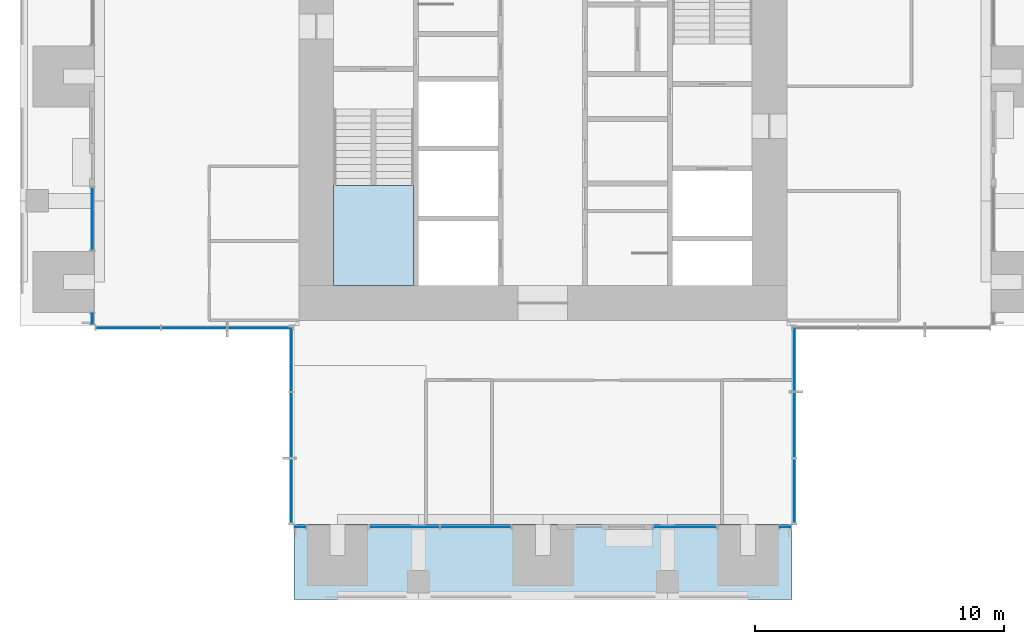
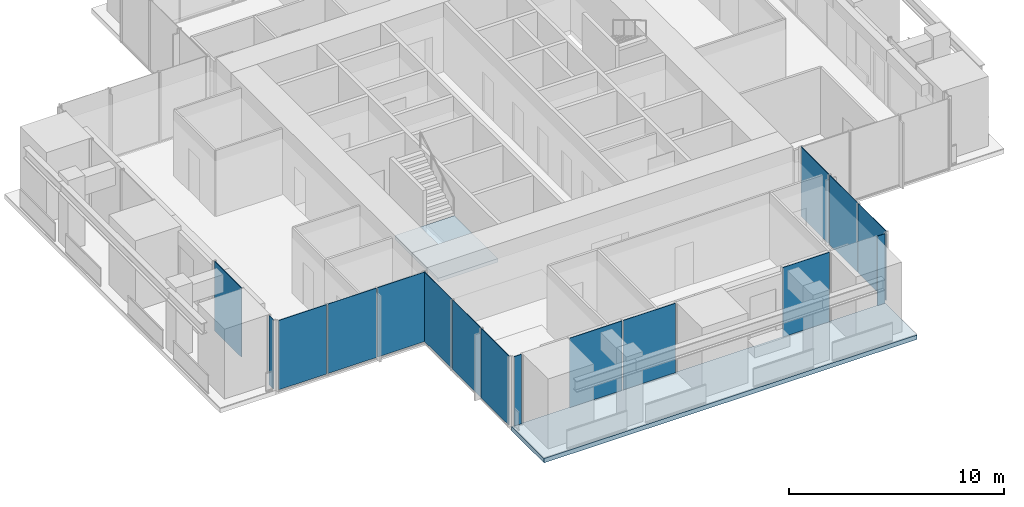
# One storey, part 7 of 17: 16 plates, 2 slabs, 10 elements without a shape of their own.
"""IFC4 building model written with IfcOpenShell, lengths in metres."""

from ifc_helpers import new_model, si_unit, direction, frame, origin, origin_2d, place, context, subcontext, project, spatial, polyline, rectangle, outline, extrude, material, layer, layer_set, type_object, element, aggregate, save


model = new_model("IFC4")

# Units and contexts
model_context = context("Model", 3, precision=1e-05, world=origin(), true_north=direction((0.0, 1.0)))
body_context = subcontext(model_context, "Body", "Model", "MODEL_VIEW")
ifc_project = project(units=[si_unit("LENGTHUNIT", "METRE"), si_unit("AREAUNIT", "SQUARE_METRE"), si_unit("VOLUMEUNIT", "CUBIC_METRE"), si_unit("PLANEANGLEUNIT", "RADIAN"), si_unit("MASSUNIT", "GRAM", prefix="KILO")], contexts=[model_context])

# Site, building, storey
site_placement = place(None, origin())
site = spatial("IfcSite", under=ifc_project, at=site_placement, CompositionType="ELEMENT")
building_placement = place(site_placement, origin())
building = spatial("IfcBuilding", under=site, at=building_placement, Name="Svetlomir Tower", CompositionType="ELEMENT")
storey_placement = place(building_placement, frame((0.0, 0.0, 218.5)))
storey = spatial("IfcBuildingStorey", under=building, at=storey_placement, Name="L52", CompositionType="ELEMENT", Elevation=218.5)

# Curtain wall, plate
ifc_material_1 = material(Name="Bronze anodised aluminium curtain wall", Category="aluminium")
curtain_wall_type = type_object("IfcCurtainWallType", Name="CURTAIN WALL CW1 TOWER OFFICE", PredefinedType="NOTDEFINED", material=ifc_material_1)
curtain_wall_1_placement = place(storey_placement, origin())
curtain_wall_1 = element("IfcCurtainWall", 1, at=curtain_wall_1_placement, inside=storey, type_object=curtain_wall_type, Name="Curtain wall CW1 L52", PredefinedType="NOTDEFINED")
ifc_material_2 = material(Name="Tinted double glazed unit", Category="glass")
ifc_layer_1 = layer(ifc_material_2, 0.031982421875)
ifc_layer_set_1 = layer_set([ifc_layer_1], Name="Tinted double glazed unit")
plate_type = type_object("IfcPlateType", Name="CW1 GLAZED PANEL 32", PredefinedType="CURTAIN_PANEL", material=ifc_layer_set_1)
plate_1_placement = place(storey_placement, frame((11.262451171875, 2.89990234375, 0.06494140625), z_axis=(0.0, 0.0, 1.0), x_axis=(1.0, 0.0, 0.0)))
plate_1 = element("IfcPlate", 2, at=plate_1_placement, type_object=plate_type, Name="CW1 panel 1.1", PredefinedType="CURTAIN_PANEL", context=body_context, shape_type="SweptSolid", body=[
    extrude(rectangle(XDim=0.39501953125, YDim=0.031982421875, at=origin_2d()), origin(), (0.0, 0.0, 1.0), 3.93505859375),
])
aggregate(curtain_wall_1, [plate_1])

# Curtain wall, plates
curtain_wall_2_placement = place(storey_placement, origin())
curtain_wall_2 = element("IfcCurtainWall", 3, at=curtain_wall_2_placement, inside=storey, type_object=curtain_wall_type, Name="Curtain wall CW1 L52", PredefinedType="NOTDEFINED")
plate_2_placement = place(storey_placement, frame((15.441162109375, 2.89990234375, 0.06494140625), z_axis=(0.0, 0.0, 1.0), x_axis=(1.0, 0.0, 0.0)))
plate_2 = element("IfcPlate", 4, at=plate_2_placement, type_object=plate_type, Name="CW1 panel 1.1", PredefinedType="CURTAIN_PANEL", context=body_context, shape_type="SweptSolid", body=[
    extrude(rectangle(XDim=2.802490234375, YDim=0.031982421875, at=origin_2d()), origin(), (0.0, 0.0, 1.0), 3.93505859375),
])
plate_3_placement = place(storey_placement, frame((18.308837890625, 2.89990234375, 0.06494140625), z_axis=(0.0, 0.0, 1.0), x_axis=(1.0, 0.0, 0.0)))
plate_3 = element("IfcPlate", 5, at=plate_3_placement, type_object=plate_type, Name="CW1 panel 2.1", PredefinedType="CURTAIN_PANEL", context=body_context, shape_type="SweptSolid", body=[
    extrude(rectangle(XDim=2.802490234375, YDim=0.031982421875, at=origin_2d()), origin(), (0.0, 0.0, 1.0), 3.93505859375),
])
aggregate(curtain_wall_2, [plate_2, plate_3])

# Curtain wall, plate
curtain_wall_3_placement = place(storey_placement, origin())
curtain_wall_3 = element("IfcCurtainWall", 6, at=curtain_wall_3_placement, inside=storey, type_object=curtain_wall_type, Name="Curtain wall CW1 L52", PredefinedType="NOTDEFINED")
plate_4_placement = place(storey_placement, frame((26.71240234375, 2.89990234375, 0.06494140625), z_axis=(0.0, 0.0, 1.0), x_axis=(1.0, 0.0, 0.0)))
plate_4 = element("IfcPlate", 7, at=plate_4_placement, type_object=plate_type, Name="CW1 panel 1.1", PredefinedType="CURTAIN_PANEL", context=body_context, shape_type="SweptSolid", body=[
    extrude(rectangle(XDim=2.4951171875, YDim=0.031982421875, at=origin_2d()), origin(), (0.0, 0.0, 1.0), 3.93505859375),
])
aggregate(curtain_wall_3, [plate_4])

curtain_wall_4_placement = place(storey_placement, origin())
curtain_wall_4 = element("IfcCurtainWall", 8, at=curtain_wall_4_placement, inside=storey, type_object=curtain_wall_type, Name="Curtain wall CW1 L52", PredefinedType="NOTDEFINED")
plate_5_placement = place(storey_placement, frame((30.737548828125, 2.89990234375, 0.06494140625), z_axis=(0.0, 0.0, 1.0), x_axis=(1.0, 0.0, 0.0)))
plate_5 = element("IfcPlate", 9, at=plate_5_placement, type_object=plate_type, Name="CW1 panel 1.1", PredefinedType="CURTAIN_PANEL", context=body_context, shape_type="SweptSolid", body=[
    extrude(rectangle(XDim=0.39501953125, YDim=0.031982421875, at=origin_2d()), origin(), (0.0, 0.0, 1.0), 3.93505859375),
])
aggregate(curtain_wall_4, [plate_5])

# Curtain wall, plates
curtain_wall_5_placement = place(storey_placement, origin())
curtain_wall_5 = element("IfcCurtainWall", 10, at=curtain_wall_5_placement, inside=storey, type_object=curtain_wall_type, Name="Curtain wall CW1 L52", PredefinedType="NOTDEFINED")
plate_6_placement = place(storey_placement, frame((31.10009765625, 4.349609375, 0.06494140625), z_axis=(0.0, 0.0, 1.0), x_axis=(0.0, 1.0, 0.0)))
plate_6 = element("IfcPlate", 11, at=plate_6_placement, type_object=plate_type, Name="CW1 panel 1.1", PredefinedType="CURTAIN_PANEL", context=body_context, shape_type="SweptSolid", body=[
    extrude(rectangle(XDim=2.569091796875, YDim=0.031982421875, at=origin_2d()), origin(), (0.0, 0.0, 1.0), 3.93505859375),
])
plate_7_placement = place(storey_placement, frame((31.10009765625, 7.0, 0.06494140625), z_axis=(0.0, 0.0, 1.0), x_axis=(0.0, 1.0, 0.0)))
plate_7 = element("IfcPlate", 12, at=plate_7_placement, type_object=plate_type, Name="CW1 panel 2.1", PredefinedType="CURTAIN_PANEL", context=body_context, shape_type="SweptSolid", body=[
    extrude(rectangle(XDim=2.6015625, YDim=0.031982421875, at=origin_2d()), origin(), (0.0, 0.0, 1.0), 3.93505859375),
])
plate_8_placement = place(storey_placement, frame((31.10009765625, 9.650390625, 0.06494140625), z_axis=(0.0, 0.0, 1.0), x_axis=(0.0, 1.0, 0.0)))
plate_8 = element("IfcPlate", 13, at=plate_8_placement, type_object=plate_type, Name="CW1 panel 3.1", PredefinedType="CURTAIN_PANEL", context=body_context, shape_type="SweptSolid", body=[
    extrude(rectangle(XDim=2.569091796875, YDim=0.031982421875, at=origin_2d()), origin(), (0.0, 0.0, 1.0), 3.93505859375),
])
aggregate(curtain_wall_5, [plate_6, plate_7, plate_8])

# Curtain wall, plate
curtain_wall_6_placement = place(storey_placement, origin())
curtain_wall_6 = element("IfcCurtainWall", 14, at=curtain_wall_6_placement, inside=storey, type_object=curtain_wall_type, Name="Curtain wall CW1 L52", PredefinedType="NOTDEFINED")
plate_9_placement = place(storey_placement, frame((2.89990234375, 15.28759765625, 0.06494140625), z_axis=(0.0, 0.0, 1.0), x_axis=(0.0, -1.0, 0.0)))
plate_9 = element("IfcPlate", 15, at=plate_9_placement, type_object=plate_type, Name="CW1 panel 1.1", PredefinedType="CURTAIN_PANEL", context=body_context, shape_type="SweptSolid", body=[
    extrude(rectangle(XDim=2.4951171875, YDim=0.031982421875, at=origin_2d()), origin(), (0.0, 0.0, 1.0), 3.93505859375),
])
aggregate(curtain_wall_6, [plate_9])

curtain_wall_7_placement = place(storey_placement, origin())
curtain_wall_7 = element("IfcCurtainWall", 16, at=curtain_wall_7_placement, inside=storey, type_object=curtain_wall_type, Name="Curtain wall CW1 L52", PredefinedType="NOTDEFINED")
plate_10_placement = place(storey_placement, frame((2.89990234375, 11.262451171875, 0.06494140625), z_axis=(0.0, 0.0, 1.0), x_axis=(0.0, -1.0, 0.0)))
plate_10 = element("IfcPlate", 17, at=plate_10_placement, type_object=plate_type, Name="CW1 panel 1.1", PredefinedType="CURTAIN_PANEL", context=body_context, shape_type="SweptSolid", body=[
    extrude(rectangle(XDim=0.39501953125, YDim=0.031982421875, at=origin_2d()), origin(), (0.0, 0.0, 1.0), 3.93505859375),
])
aggregate(curtain_wall_7, [plate_10])

# Curtain wall, plates
curtain_wall_8_placement = place(storey_placement, origin())
curtain_wall_8 = element("IfcCurtainWall", 18, at=curtain_wall_8_placement, inside=storey, type_object=curtain_wall_type, Name="Curtain wall CW1 L52", PredefinedType="NOTDEFINED")
plate_11_placement = place(storey_placement, frame((4.349609375, 10.89990234375, 0.06494140625), z_axis=(0.0, 0.0, 1.0), x_axis=(1.0, 0.0, 0.0)))
plate_11 = element("IfcPlate", 19, at=plate_11_placement, type_object=plate_type, Name="CW1 panel 1.1", PredefinedType="CURTAIN_PANEL", context=body_context, shape_type="SweptSolid", body=[
    extrude(rectangle(XDim=2.569091796875, YDim=0.031982421875, at=origin_2d()), origin(), (0.0, 0.0, 1.0), 3.93505859375),
])
plate_12_placement = place(storey_placement, frame((7.0, 10.89990234375, 0.06494140625), z_axis=(0.0, 0.0, 1.0), x_axis=(1.0, 0.0, 0.0)))
plate_12 = element("IfcPlate", 20, at=plate_12_placement, type_object=plate_type, Name="CW1 panel 2.1", PredefinedType="CURTAIN_PANEL", context=body_context, shape_type="SweptSolid", body=[
    extrude(rectangle(XDim=2.6015625, YDim=0.031982421875, at=origin_2d()), origin(), (0.0, 0.0, 1.0), 3.93505859375),
])
plate_13_placement = place(storey_placement, frame((9.650390625, 10.89990234375, 0.06494140625), z_axis=(0.0, 0.0, 1.0), x_axis=(1.0, 0.0, 0.0)))
plate_13 = element("IfcPlate", 21, at=plate_13_placement, type_object=plate_type, Name="CW1 panel 3.1", PredefinedType="CURTAIN_PANEL", context=body_context, shape_type="SweptSolid", body=[
    extrude(rectangle(XDim=2.569091796875, YDim=0.031982421875, at=origin_2d()), origin(), (0.0, 0.0, 1.0), 3.93505859375),
])
aggregate(curtain_wall_8, [plate_11, plate_12, plate_13])

curtain_wall_9_placement = place(storey_placement, origin())
curtain_wall_9 = element("IfcCurtainWall", 22, at=curtain_wall_9_placement, inside=storey, type_object=curtain_wall_type, Name="Curtain wall CW1 L52", PredefinedType="NOTDEFINED")
plate_14_placement = place(storey_placement, frame((10.89990234375, 9.650390625, 0.06494140625), z_axis=(0.0, 0.0, 1.0), x_axis=(0.0, -1.0, 0.0)))
plate_14 = element("IfcPlate", 23, at=plate_14_placement, type_object=plate_type, Name="CW1 panel 1.1", PredefinedType="CURTAIN_PANEL", context=body_context, shape_type="SweptSolid", body=[
    extrude(rectangle(XDim=2.569091796875, YDim=0.031982421875, at=origin_2d()), origin(), (0.0, 0.0, 1.0), 3.93505859375),
])
plate_15_placement = place(storey_placement, frame((10.89990234375, 7.0, 0.06494140625), z_axis=(0.0, 0.0, 1.0), x_axis=(0.0, -1.0, 0.0)))
plate_15 = element("IfcPlate", 24, at=plate_15_placement, type_object=plate_type, Name="CW1 panel 2.1", PredefinedType="CURTAIN_PANEL", context=body_context, shape_type="SweptSolid", body=[
    extrude(rectangle(XDim=2.6015625, YDim=0.031982421875, at=origin_2d()), origin(), (0.0, 0.0, 1.0), 3.93505859375),
])
plate_16_placement = place(storey_placement, frame((10.89990234375, 4.349609375, 0.06494140625), z_axis=(0.0, 0.0, 1.0), x_axis=(0.0, -1.0, 0.0)))
plate_16 = element("IfcPlate", 25, at=plate_16_placement, type_object=plate_type, Name="CW1 panel 3.1", PredefinedType="CURTAIN_PANEL", context=body_context, shape_type="SweptSolid", body=[
    extrude(rectangle(XDim=2.569091796875, YDim=0.031982421875, at=origin_2d()), origin(), (0.0, 0.0, 1.0), 3.93505859375),
])
aggregate(curtain_wall_9, [plate_14, plate_15, plate_16])

# Slab
ifc_material_3 = material(Name="Concrete C60/75", Category="concrete")
ifc_layer_2 = layer(ifc_material_3, 0.25)
ifc_layer_set_2 = layer_set([ifc_layer_2], Name="Concrete C60/75")
slab_type_1 = type_object("IfcSlabType", Name="PLANTED LOGGIA SLAB 250", PredefinedType="FLOOR", material=ifc_layer_set_2)
slab_1_placement = place(storey_placement, frame((0.0, 0.0, -0.25)))
element("IfcSlab", 26, at=slab_1_placement, inside=storey, type_object=slab_type_1, Name="L52 S planted loggia", PredefinedType="FLOOR", context=body_context, shape_type="SweptSolid", body=[
    extrude(outline(polyline([(11.0, 0.0), (31.0, 0.0), (31.0, 3.0), (11.0, 3.0), (11.0, 0.0)])), origin(), (0.0, 0.0, 1.0), 0.25),
])

# Stair, slab
ifc_material_4 = material(Name="Concrete C60/75", Category="concrete")
stair_type = type_object("IfcStairType", Name="EXIT STAIR 3200 RISE 4000", PredefinedType="HALF_TURN_STAIR", material=ifc_material_4)
stair_placement = place(storey_placement, origin())
stair = element("IfcStair", 27, at=stair_placement, inside=storey, type_object=stair_type, Name="Stair S1 L52 to L53", PredefinedType="HALF_TURN_STAIR")
ifc_material_5 = material(Name="Concrete C60/75", Category="concrete")
ifc_layer_3 = layer(ifc_material_5, 0.199951171875)
ifc_layer_set_3 = layer_set([ifc_layer_3], Name="Concrete C60/75")
slab_type_2 = type_object("IfcSlabType", Name="STAIR LANDING 200", PredefinedType="LANDING", material=ifc_layer_set_3)
slab_2_placement = place(storey_placement, frame((0.0, 0.0, 1.800048828125)))
slab_2 = element("IfcSlab", 28, at=slab_2_placement, type_object=slab_type_2, Name="S1 landing 1", PredefinedType="LANDING", context=body_context, shape_type="SweptSolid", body=[
    extrude(outline(polyline([(12.60009765625, 12.60009765625), (15.800048828125, 12.60009765625), (15.800048828125, 16.6201171875), (12.60009765625, 16.6201171875), (12.60009765625, 12.60009765625)])), origin(), (0.0, 0.0, 1.0), 0.199951171875),
])
aggregate(stair, [slab_2])

save(model, "model.ifc")
